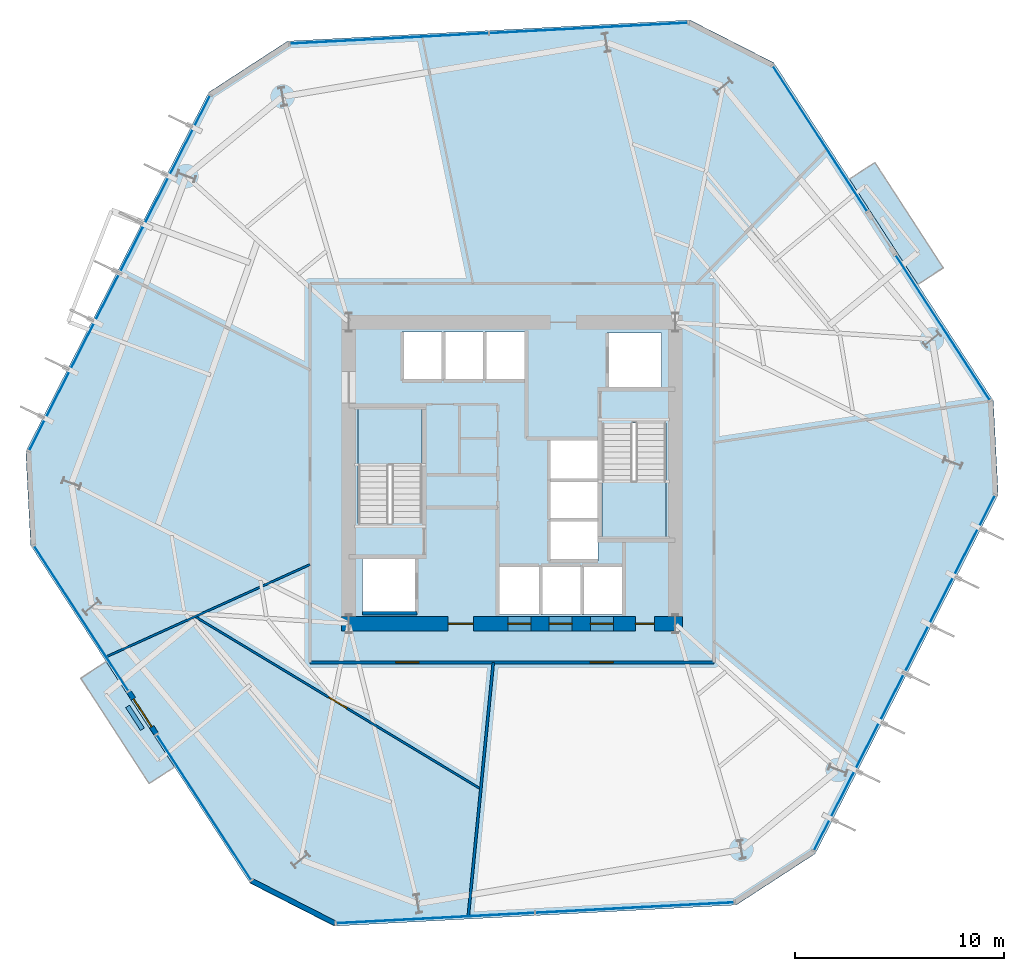
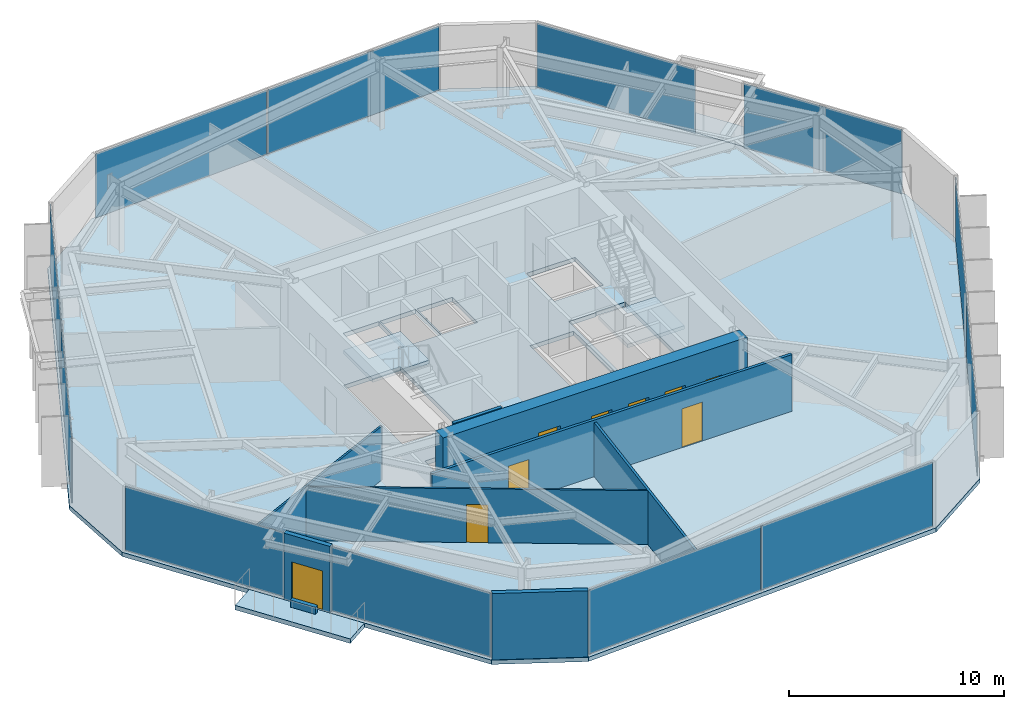
# One storey, part 5 of 10: 12 plates, 9 doors, 9 walls, 5 slabs, 9 openings, 10 elements without a shape of their own.
"""IFC4 building model written with IfcOpenShell, lengths in metres."""

from ifc_helpers import new_model, si_unit, direction, frame, frame_2d, origin, origin_2d, place, context, subcontext, project, spatial, polyline, rectangle, outline, extrude, material, layer, layer_set, type_object, element, fill, aggregate, save


model = new_model("IFC4")

# Units and contexts
model_context = context("Model", 3, precision=1e-05, world=origin(), true_north=direction((0.0, 1.0)))
body_context = subcontext(model_context, "Body", "Model", "MODEL_VIEW")
ifc_project = project(units=[si_unit("LENGTHUNIT", "METRE"), si_unit("AREAUNIT", "SQUARE_METRE"), si_unit("VOLUMEUNIT", "CUBIC_METRE"), si_unit("PLANEANGLEUNIT", "RADIAN"), si_unit("MASSUNIT", "GRAM", prefix="KILO")], contexts=[model_context])

# Site, building, storey
site_placement = place(None, origin())
site = spatial("IfcSite", under=ifc_project, at=site_placement, CompositionType="ELEMENT")
building_placement = place(site_placement, origin())
building = spatial("IfcBuilding", under=site, at=building_placement, Name="Kranzbogen Civic Tower", CompositionType="ELEMENT")
storey_placement = place(building_placement, frame((0.0, 0.0, 32.0)))
storey = spatial("IfcBuildingStorey", under=building, at=storey_placement, Name="L07", CompositionType="ELEMENT", Elevation=32.0)

# Slab
ifc_material_1 = material(Name="Concrete C40/50", Category="concrete")
ifc_layer_1 = layer(ifc_material_1, 0.239990234375, Name="Concrete C40/50")
ifc_layer_set_1 = layer_set([ifc_layer_1], Name="Concrete C40/50")
slab_type_1 = type_object("IfcSlabType", Name="Composite Lower Tower Floor Slab 240 mm", PredefinedType="FLOOR", material=ifc_layer_set_1)
slab_1_placement = place(storey_placement, frame((0.0, 0.0, -0.239990234375)))
element("IfcSlab", 1, at=slab_1_placement, inside=storey, type_object=slab_type_1, Name="L07 tower floor slab", PredefinedType="FLOOR", context=body_context, shape_type="SweptSolid", body=[
    extrude(outline(polyline([(48.001953125, 28.458984375), (37.514892578125, 44.60693359375), (33.506103515625, 46.64990234375), (14.278076171875, 45.64208984375), (10.50390625, 43.19091796875), (1.761962890625, 26.034912109375), (1.998046875, 21.541015625), (12.485107421875, 5.39306640625), (16.493896484375, 3.35009765625), (35.721923828125, 4.35791015625), (39.49609375, 6.80908203125), (48.238037109375, 23.965087890625), (48.001953125, 28.458984375)]), holes=[polyline([(26.300048828125, 20.60009765625), (26.300048828125, 18.25), (24.39990234375, 18.25), (24.39990234375, 20.60009765625), (26.300048828125, 20.60009765625)]), polyline([(28.27490234375, 18.25), (26.375, 18.25), (26.375, 20.60009765625), (28.27490234375, 20.60009765625), (28.27490234375, 18.25)]), polyline([(20.449951171875, 18.300048828125), (17.85009765625, 18.300048828125), (17.85009765625, 20.89990234375), (20.449951171875, 20.89990234375), (20.449951171875, 18.300048828125)]), polyline([(20.699951171875, 22.659912109375), (19.25, 22.659912109375), (19.25, 22.60009765625), (17.64990234375, 22.60009765625), (17.64990234375, 28.10009765625), (20.699951171875, 28.10009765625), (20.699951171875, 22.659912109375)]), polyline([(21.64990234375, 29.39990234375), (19.75, 29.39990234375), (19.75, 31.75), (21.64990234375, 31.75), (21.64990234375, 29.39990234375)]), polyline([(23.625, 29.39990234375), (21.72509765625, 29.39990234375), (21.72509765625, 31.75), (23.625, 31.75), (23.625, 29.39990234375)]), polyline([(25.60009765625, 31.75), (25.60009765625, 29.39990234375), (23.699951171875, 29.39990234375), (23.699951171875, 31.75), (25.60009765625, 31.75)]), polyline([(30.25, 18.25), (28.35009765625, 18.25), (28.35009765625, 20.60009765625), (30.25, 20.60009765625), (30.25, 18.25)]), polyline([(29.10009765625, 20.800048828125), (26.75, 20.800048828125), (26.75, 22.699951171875), (29.10009765625, 22.699951171875), (29.10009765625, 20.800048828125)]), polyline([(26.75, 26.550048828125), (29.10009765625, 26.550048828125), (29.10009765625, 24.675048828125), (29.10009765625, 24.64990234375), (29.10009765625, 22.77490234375), (26.75, 22.77490234375), (26.75, 24.64990234375), (26.75, 24.675048828125), (26.75, 26.550048828125)]), polyline([(30.75, 27.340087890625), (30.75, 27.39990234375), (32.35009765625, 27.39990234375), (32.35009765625, 21.89990234375), (29.300048828125, 21.89990234375), (29.300048828125, 27.340087890625), (30.75, 27.340087890625)]), polyline([(32.14990234375, 29.10009765625), (29.550048828125, 29.10009765625), (29.550048828125, 31.699951171875), (32.14990234375, 31.699951171875), (32.14990234375, 29.10009765625)])]), origin(), (0.0, 0.0, 1.0), 0.239990234375),
])

# Curtain wall, plate
ifc_material_2 = material(Name="Pale Anodised Aluminium", Category="aluminium")
ifc_layer_2 = layer(ifc_material_2, 0.219970703125, Name="Pale Anodised Aluminium")
ifc_layer_set_2 = layer_set([ifc_layer_2], Name="Pale Anodised Aluminium")
curtain_wall_type = type_object("IfcCurtainWallType", Name="Zone 1 Stick Curtain Wall System CW-02", PredefinedType="USERDEFINED", material=ifc_layer_set_2)
curtain_wall_1_placement = place(storey_placement, origin())
curtain_wall_1 = element("IfcCurtainWall", 2, at=curtain_wall_1_placement, inside=storey, type_object=curtain_wall_type, Name="L07 curtain wall CW-L07-F1-S1", ObjectType="STICK CURTAIN WALL", PredefinedType="USERDEFINED")
ifc_material_3 = material(Name="Low-E Triple Glazing Glass", Category="glass")
ifc_layer_3 = layer(ifc_material_3, 0.033935546875, Name="Low-E Triple Glazing Glass")
ifc_layer_set_3 = layer_set([ifc_layer_3], Name="Low-E Triple Glazing Glass")
plate_type = type_object("IfcPlateType", Name="Insulated Low-E Glazing Panel 34 mm", PredefinedType="CURTAIN_PANEL", material=ifc_layer_set_3)
plate_1_placement = place(storey_placement, frame((45.5849609375, 31.947509765625, 0.06005859375), z_axis=(0.0, 0.0, 1.0), x_axis=(-0.544622907233, 0.838681041229, 0.0)))
plate_1 = element("IfcPlate", 3, at=plate_1_placement, type_object=plate_type, Name="CW-02 panel 1.1", PredefinedType="CURTAIN_PANEL", context=body_context, shape_type="SweptSolid", body=[
    extrude(rectangle(XDim=8.2490234375, YDim=0.028076171875, at=origin_2d()), origin(), (0.0, 0.0, 1.0), 3.639892578125),
])
aggregate(curtain_wall_1, [plate_1])

curtain_wall_2_placement = place(storey_placement, origin())
curtain_wall_2 = element("IfcCurtainWall", 4, at=curtain_wall_2_placement, inside=storey, type_object=curtain_wall_type, Name="L07 curtain wall CW-L07-F1-S2", ObjectType="STICK CURTAIN WALL", PredefinedType="USERDEFINED")
plate_2_placement = place(storey_placement, frame((39.718994140625, 40.9794921875, 0.06005859375), z_axis=(0.0, 0.0, 1.0), x_axis=(-0.544622907233, 0.838681041229, 0.0)))
plate_2 = element("IfcPlate", 5, at=plate_2_placement, type_object=plate_type, Name="CW-02 panel 1.1", PredefinedType="CURTAIN_PANEL", context=body_context, shape_type="SweptSolid", body=[
    extrude(rectangle(XDim=8.2490234375, YDim=0.028076171875, at=origin_2d()), origin(), (0.0, 0.0, 1.0), 3.639892578125),
])
aggregate(curtain_wall_2, [plate_2])

# Curtain wall, plates
curtain_wall_3_placement = place(storey_placement, origin())
curtain_wall_3 = element("IfcCurtainWall", 6, at=curtain_wall_3_placement, inside=storey, type_object=curtain_wall_type, Name="L07 curtain wall CW-L07-F2", ObjectType="STICK CURTAIN WALL", PredefinedType="USERDEFINED")
plate_3_placement = place(storey_placement, frame((28.662109375, 46.268798828125, 0.06005859375), z_axis=(0.0, 0.0, 1.0), x_axis=(-0.998628489933, -0.052355888813, 0.0)))
plate_3 = element("IfcPlate", 7, at=plate_3_placement, type_object=plate_type, Name="CW-02 panel 1.1", PredefinedType="CURTAIN_PANEL", context=body_context, shape_type="SweptSolid", body=[
    extrude(rectangle(XDim=9.47900390625, YDim=0.028076171875, at=origin_2d()), origin(), (0.0, 0.0, 1.0), 3.639892578125),
])
plate_4_placement = place(storey_placement, frame((19.135986328125, 45.769287109375, 0.06005859375), z_axis=(0.0, 0.0, 1.0), x_axis=(-0.998628489933, -0.052355888813, 0.0)))
plate_4 = element("IfcPlate", 8, at=plate_4_placement, type_object=plate_type, Name="CW-02 panel 2.1", PredefinedType="CURTAIN_PANEL", context=body_context, shape_type="SweptSolid", body=[
    extrude(rectangle(XDim=9.47900390625, YDim=0.028076171875, at=origin_2d()), origin(), (0.0, 0.0, 1.0), 3.639892578125),
])
aggregate(curtain_wall_3, [plate_3, plate_4])

curtain_wall_4_placement = place(storey_placement, origin())
curtain_wall_4 = element("IfcCurtainWall", 9, at=curtain_wall_4_placement, inside=storey, type_object=curtain_wall_type, Name="L07 curtain wall CW-L07-F3", ObjectType="STICK CURTAIN WALL", PredefinedType="USERDEFINED")
plate_5_placement = place(storey_placement, frame((8.411865234375, 38.805419921875, 0.06005859375), z_axis=(0.0, 0.0, 1.0), x_axis=(-0.453993092664, -0.891005203022, 0.0)))
plate_5 = element("IfcPlate", 10, at=plate_5_placement, type_object=plate_type, Name="CW-02 panel 1.1", PredefinedType="CURTAIN_PANEL", context=body_context, shape_type="SweptSolid", body=[
    extrude(rectangle(XDim=9.4794921875, YDim=0.028076171875, at=origin_2d()), origin(), (0.0, 0.0, 1.0), 3.639892578125),
])
plate_6_placement = place(storey_placement, frame((4.0810546875, 30.3056640625, 0.06005859375), z_axis=(0.0, 0.0, 1.0), x_axis=(-0.453993092664, -0.891005203022, 0.0)))
plate_6 = element("IfcPlate", 11, at=plate_6_placement, type_object=plate_type, Name="CW-02 panel 2.1", PredefinedType="CURTAIN_PANEL", context=body_context, shape_type="SweptSolid", body=[
    extrude(rectangle(XDim=9.4794921875, YDim=0.028076171875, at=origin_2d()), origin(), (0.0, 0.0, 1.0), 3.639892578125),
])
aggregate(curtain_wall_4, [plate_5, plate_6])

# Curtain wall, plate
curtain_wall_5_placement = place(storey_placement, origin())
curtain_wall_5 = element("IfcCurtainWall", 12, at=curtain_wall_5_placement, inside=storey, type_object=curtain_wall_type, Name="L07 curtain wall CW-L07-F4-S1", ObjectType="STICK CURTAIN WALL", PredefinedType="USERDEFINED")
plate_7_placement = place(storey_placement, frame((4.4150390625, 18.052490234375, 0.06005859375), z_axis=(0.0, 0.0, 1.0), x_axis=(0.544622907233, -0.838681041229, 0.0)))
plate_7 = element("IfcPlate", 13, at=plate_7_placement, type_object=plate_type, Name="CW-02 panel 1.1", PredefinedType="CURTAIN_PANEL", context=body_context, shape_type="SweptSolid", body=[
    extrude(rectangle(XDim=8.2490234375, YDim=0.028076171875, at=origin_2d()), origin(), (0.0, 0.0, 1.0), 3.639892578125),
])
aggregate(curtain_wall_5, [plate_7])

curtain_wall_6_placement = place(storey_placement, origin())
curtain_wall_6 = element("IfcCurtainWall", 14, at=curtain_wall_6_placement, inside=storey, type_object=curtain_wall_type, Name="L07 curtain wall CW-L07-F4-S2", ObjectType="STICK CURTAIN WALL", PredefinedType="USERDEFINED")
plate_8_placement = place(storey_placement, frame((10.281005859375, 9.0205078125, 0.06005859375), z_axis=(0.0, 0.0, 1.0), x_axis=(0.544622907233, -0.838681041229, 0.0)))
plate_8 = element("IfcPlate", 15, at=plate_8_placement, type_object=plate_type, Name="CW-02 panel 1.1", PredefinedType="CURTAIN_PANEL", context=body_context, shape_type="SweptSolid", body=[
    extrude(rectangle(XDim=8.2490234375, YDim=0.028076171875, at=origin_2d()), origin(), (0.0, 0.0, 1.0), 3.639892578125),
])
aggregate(curtain_wall_6, [plate_8])

# Curtain wall, plates
curtain_wall_7_placement = place(storey_placement, origin())
curtain_wall_7 = element("IfcCurtainWall", 16, at=curtain_wall_7_placement, inside=storey, type_object=curtain_wall_type, Name="L07 curtain wall CW-L07-F5", ObjectType="STICK CURTAIN WALL", PredefinedType="USERDEFINED")
plate_9_placement = place(storey_placement, frame((21.337890625, 3.731201171875, 0.06005859375), z_axis=(0.0, 0.0, 1.0), x_axis=(0.998628489933, 0.052355888813, 0.0)))
plate_9 = element("IfcPlate", 17, at=plate_9_placement, type_object=plate_type, Name="CW-02 panel 1.1", PredefinedType="CURTAIN_PANEL", context=body_context, shape_type="SweptSolid", body=[
    extrude(rectangle(XDim=9.47900390625, YDim=0.028076171875, at=origin_2d()), origin(), (0.0, 0.0, 1.0), 3.639892578125),
])
plate_10_placement = place(storey_placement, frame((30.864013671875, 4.230712890625, 0.06005859375), z_axis=(0.0, 0.0, 1.0), x_axis=(0.998628489933, 0.052355888813, 0.0)))
plate_10 = element("IfcPlate", 18, at=plate_10_placement, type_object=plate_type, Name="CW-02 panel 2.1", PredefinedType="CURTAIN_PANEL", context=body_context, shape_type="SweptSolid", body=[
    extrude(rectangle(XDim=9.47900390625, YDim=0.028076171875, at=origin_2d()), origin(), (0.0, 0.0, 1.0), 3.639892578125),
])
aggregate(curtain_wall_7, [plate_9, plate_10])

curtain_wall_8_placement = place(storey_placement, origin())
curtain_wall_8 = element("IfcCurtainWall", 19, at=curtain_wall_8_placement, inside=storey, type_object=curtain_wall_type, Name="L07 curtain wall CW-L07-F6", ObjectType="STICK CURTAIN WALL", PredefinedType="USERDEFINED")
plate_11_placement = place(storey_placement, frame((41.588134765625, 11.194580078125, 0.06005859375), z_axis=(0.0, 0.0, 1.0), x_axis=(0.453993092664, 0.891005203022, 0.0)))
plate_11 = element("IfcPlate", 20, at=plate_11_placement, type_object=plate_type, Name="CW-02 panel 1.1", PredefinedType="CURTAIN_PANEL", context=body_context, shape_type="SweptSolid", body=[
    extrude(rectangle(XDim=9.4794921875, YDim=0.028076171875, at=origin_2d()), origin(), (0.0, 0.0, 1.0), 3.639892578125),
])
plate_12_placement = place(storey_placement, frame((45.9189453125, 19.6943359375, 0.06005859375), z_axis=(0.0, 0.0, 1.0), x_axis=(0.453993092664, 0.891005203022, 0.0)))
plate_12 = element("IfcPlate", 21, at=plate_12_placement, type_object=plate_type, Name="CW-02 panel 2.1", PredefinedType="CURTAIN_PANEL", context=body_context, shape_type="SweptSolid", body=[
    extrude(rectangle(XDim=9.4794921875, YDim=0.028076171875, at=origin_2d()), origin(), (0.0, 0.0, 1.0), 3.639892578125),
])
aggregate(curtain_wall_8, [plate_11, plate_12])

# Stair, slab
ifc_material_4 = material(Name="Precast concrete C40/50", Category="concrete")
stair_type_1 = type_object("IfcStairType", Name="Tower Core Pressurized Dogleg Stair 1450", PredefinedType="HALF_TURN_STAIR", material=ifc_material_4)
stair_1_placement = place(storey_placement, origin())
stair_1 = element("IfcStair", 22, at=stair_1_placement, inside=storey, type_object=stair_type_1, Name="L07 Tower Core Pressurized Stair 1", PredefinedType="HALF_TURN_STAIR")
ifc_layer_4 = layer(ifc_material_4, 0.199951171875, Name="Precast concrete C40/50")
ifc_layer_set_4 = layer_set([ifc_layer_4], Name="Precast concrete C40/50")
slab_type_2 = type_object("IfcSlabType", Name="Precast Concrete Stair Landing Slab 200 mm", PredefinedType="LANDING", material=ifc_layer_set_4)
slab_2_placement = place(storey_placement, frame((0.0, 0.0, 1.800048828125)))
slab_2 = element("IfcSlab", 23, at=slab_2_placement, type_object=slab_type_2, Name="ST-T1 landing 1", PredefinedType="LANDING", context=body_context, shape_type="SweptSolid", body=[
    extrude(outline(polyline([(20.699951171875, 25.39990234375), (20.699951171875, 28.10009765625), (17.64990234375, 28.10009765625), (17.64990234375, 25.39990234375), (20.699951171875, 25.39990234375)])), origin(), (0.0, 0.0, 1.0), 0.199951171875),
])
aggregate(stair_1, [slab_2])

stair_type_2 = type_object("IfcStairType", Name="Tower Core Secondary Dogleg Stair 1450", PredefinedType="HALF_TURN_STAIR", material=ifc_material_4)
stair_2_placement = place(storey_placement, origin())
stair_2 = element("IfcStair", 24, at=stair_2_placement, inside=storey, type_object=stair_type_2, Name="L07 Tower Core Pressurized Stair 2", PredefinedType="HALF_TURN_STAIR")
slab_3_placement = place(storey_placement, frame((0.0, 0.0, 1.800048828125)))
slab_3 = element("IfcSlab", 25, at=slab_3_placement, type_object=slab_type_2, Name="ST-T2 landing 1", PredefinedType="LANDING", context=body_context, shape_type="SweptSolid", body=[
    extrude(outline(polyline([(29.300048828125, 24.60009765625), (29.300048828125, 21.89990234375), (32.35009765625, 21.89990234375), (32.35009765625, 24.60009765625), (29.300048828125, 24.60009765625)])), origin(), (0.0, 0.0, 1.0), 0.199951171875),
])
aggregate(stair_2, [slab_3])

# Slabs
ifc_layer_5 = layer(ifc_material_1, 0.25, Name="Concrete C40/50")
ifc_layer_set_5 = layer_set([ifc_layer_5], Name="Concrete C40/50")
slab_type_3 = type_object("IfcSlabType", Name="Tree Balcony Cantilevered Slab 250 mm", PredefinedType="FLOOR", material=ifc_layer_set_5)
slab_4_placement = place(storey_placement, frame((0.0, 0.0, -0.25)))
element("IfcSlab", 26, at=slab_4_placement, inside=storey, type_object=slab_type_3, Name="L07 cantilevered tree balcony L07-TB1", PredefinedType="FLOOR", context=body_context, shape_type="SweptSolid", body=[
    extrude(outline(polyline([(5.60693359375, 15.98291015625), (8.875, 10.950927734375), (7.658935546875, 10.160888671875), (4.39111328125, 15.193115234375), (5.60693359375, 15.98291015625)])), origin(), (0.0, 0.0, 1.0), 0.25),
])
slab_5_placement = place(storey_placement, frame((0.0, 0.0, -0.25)))
element("IfcSlab", 27, at=slab_5_placement, inside=storey, type_object=slab_type_3, Name="L07 cantilevered tree balcony L07-TB2", PredefinedType="FLOOR", context=body_context, shape_type="SweptSolid", body=[
    extrude(outline(polyline([(44.39306640625, 34.01708984375), (41.125, 39.049072265625), (42.341064453125, 39.839111328125), (45.60888671875, 34.806884765625), (44.39306640625, 34.01708984375)])), origin(), (0.0, 0.0, 1.0), 0.25),
])

# Wall, openings, doors
ifc_material_5 = material(Name="Double-Stud Acoustic Gypsum Partition")
ifc_layer_6 = layer(ifc_material_5, 0.14990234375, Name="Double-Stud Acoustic Gypsum Partition")
ifc_layer_set_6 = layer_set([ifc_layer_6], Name="Double-Stud Acoustic Gypsum Partition")
wall_type_1 = type_object("IfcWallType", Name="Acoustic Corridor and Clinical Partition 150 mm", PredefinedType="PARTITIONING", material=ifc_layer_set_6)
wall_1_placement = place(storey_placement, frame((34.64990234375, 15.949951171875, 0.0), z_axis=(0.0, 0.0, 1.0), x_axis=(-1.0, 0.0, 0.0)))
wall_1 = element("IfcWall", 28, at=wall_1_placement, inside=storey, type_object=wall_type_1, Name="L07 corridor partition 03", PredefinedType="PARTITIONING", context=body_context, shape_type="SweptSolid", body=[
    extrude(rectangle(XDim=19.2998046875, YDim=0.14990234375, at=frame_2d((9.64990234375, 0.0))), origin(), (0.0, 0.0, 1.0), 3.2099609375),
])
opening_1_placement = place(wall_1_placement, frame((14.10205078125, 0.0, 0.0)))
opening_1 = element("IfcOpeningElement", 29, at=opening_1_placement, cuts=wall_1, Name="Opening D-COR60", PredefinedType="OPENING", context=body_context, shape_type="SweptSolid", body=[
    extrude(rectangle(XDim=1.10009765625, YDim=2.199951171875, at=frame_2d((0.550048828125, 1.10009765625))), frame((0.0, 0.0849609375, 0.0), z_axis=(0.0, -1.0, 0.0), x_axis=(1.0, 0.0, 0.0)), (0.0, 0.0, 1.0), 0.169921875),
])
opening_2_placement = place(wall_1_placement, frame((4.818115234375, 0.0, 0.0)))
opening_2 = element("IfcOpeningElement", 30, at=opening_2_placement, cuts=wall_1, Name="Opening D-COR60", PredefinedType="OPENING", context=body_context, shape_type="SweptSolid", body=[
    extrude(rectangle(XDim=1.10009765625, YDim=2.199951171875, at=frame_2d((0.550048828125, 1.10009765625))), frame((0.0, 0.0849609375, 0.0), z_axis=(0.0, -1.0, 0.0), x_axis=(1.0, 0.0, 0.0)), (0.0, 0.0, 1.0), 0.169921875),
])
ifc_material_6 = material(Name="Oak Timber and Fire Core", Category="wood")
door_type_1 = type_object("IfcDoorType", Name="Corridor Acoustic Fire Door 1100x2200", OperationType="NOTDEFINED", PredefinedType="DOOR", material=ifc_material_6)
door_1_placement = place(opening_1_placement, origin())
door_1 = element("IfcDoor", 31, at=door_1_placement, inside=storey, type_object=door_type_1, Name="L07 Directorate Admin Workspace door", OperationType="SINGLE_SWING_LEFT", OverallHeight=2.199951171875, OverallWidth=1.10009765625, PredefinedType="DOOR", context=body_context, shape_type="SweptSolid", body=[
    extrude(rectangle(XDim=1.10009765625, YDim=2.199951171875, at=frame_2d((0.550048828125, 1.10009765625))), frame((0.0, 0.02490234375, 0.0), z_axis=(0.0, -1.0, 0.0), x_axis=(1.0, 0.0, 0.0)), (0.0, 0.0, 1.0), 0.050048828125),
])
fill(opening_1, door_1)
door_2_placement = place(opening_2_placement, origin())
door_2 = element("IfcDoor", 32, at=door_2_placement, inside=storey, type_object=door_type_1, Name="L07 Civic Reference Library door", OperationType="SINGLE_SWING_LEFT", OverallHeight=2.199951171875, OverallWidth=1.10009765625, PredefinedType="DOOR", context=body_context, shape_type="SweptSolid", body=[
    extrude(rectangle(XDim=1.10009765625, YDim=2.199951171875, at=frame_2d((0.550048828125, 1.10009765625))), frame((0.0, 0.02490234375, 0.0), z_axis=(0.0, -1.0, 0.0), x_axis=(1.0, 0.0, 0.0)), (0.0, 0.0, 1.0), 0.050048828125),
])
fill(opening_2, door_2)

# Walls
ifc_material_7 = material(Name="Insulated Metal-Stud Gypsum Partition")
ifc_layer_7 = layer(ifc_material_7, 0.125, Name="Insulated Metal-Stud Gypsum Partition")
ifc_layer_set_7 = layer_set([ifc_layer_7], Name="Insulated Metal-Stud Gypsum Partition")
wall_type_2 = type_object("IfcWallType", Name="Acoustic Inter-Room Partition 125 mm", PredefinedType="PARTITIONING", material=ifc_layer_set_7)
wall_2_placement = place(storey_placement, frame((24.10693359375, 15.949951171875, 0.0), z_axis=(0.0, 0.0, 1.0), x_axis=(-0.098223238164, -0.995164406259, 0.0)))
element("IfcWall", 33, at=wall_2_placement, inside=storey, type_object=wall_type_2, Name="L07 radial room partition 05", PredefinedType="PARTITIONING", context=body_context, shape_type="SweptSolid", body=[
    extrude(rectangle(XDim=12.1767578125, YDim=0.125, at=frame_2d((6.08837890625, 0.0))), origin(), (0.0, 0.0, 1.0), 3.06005859375),
])
ifc_material_8 = material(Name="Architectural Precast Terracotta Concrete C40/50", Category="masonry")
ifc_layer_8 = layer(ifc_material_8, 0.219970703125, Name="Architectural Precast Terracotta Concrete C40/50")
ifc_layer_set_8 = layer_set([ifc_layer_8], Name="Architectural Precast Terracotta Concrete C40/50")
wall_type_3 = type_object("IfcWallType", Name="Architectural Tree Planter Kerb Wall 220 mm", PredefinedType="USERDEFINED", material=ifc_layer_set_8)
wall_3_placement = place(storey_placement, frame((6.632080078125, 13.845947265625, 0.0), z_axis=(0.0, 0.0, 1.0), x_axis=(0.544777038638, -0.8385809312, 0.0)))
element("IfcWall", 34, at=wall_3_placement, inside=storey, type_object=wall_type_3, Name="L07 landscaped tree balcony planter L07-TB1", ObjectType="PLANTER_WALL", PredefinedType="USERDEFINED", context=body_context, shape_type="SweptSolid", body=[
    extrude(rectangle(XDim=1.299560546875, YDim=0.219970703125, at=frame_2d((0.64990234375, 0.0))), origin(), (0.0, 0.0, 1.0), 0.39990234375),
])

# Wall, openings, doors
ifc_material_9 = material(Name="Concrete C55/67", Category="concrete")
ifc_layer_9 = layer(ifc_material_9, 0.699951171875, Name="Concrete C55/67")
ifc_layer_set_9 = layer_set([ifc_layer_9], Name="Concrete C55/67")
wall_type_4 = type_object("IfcWallType", Name="Central Core Shear Wall 700 mm", PredefinedType="SHEAR", material=ifc_layer_set_9)
wall_4_placement = place(storey_placement, frame((16.85009765625, 17.800048828125, 0.0), z_axis=(0.0, 0.0, 1.0), x_axis=(1.0, 0.0, 0.0)))
wall_4 = element("IfcWall", 35, at=wall_4_placement, inside=storey, type_object=wall_type_4, Name="L07 central core South shear wall", PredefinedType="SHEAR", context=body_context, shape_type="SweptSolid", body=[
    extrude(rectangle(XDim=16.2998046875, YDim=0.699951171875, at=frame_2d((8.14990234375, 0.0))), origin(), (0.0, 0.0, 1.0), 3.760009765625),
])
opening_3_placement = place(wall_4_placement, frame((5.10009765625, 0.0, 0.0)))
opening_3 = element("IfcOpeningElement", 36, at=opening_3_placement, cuts=wall_4, Name="Opening D-EX120", PredefinedType="OPENING", context=body_context, shape_type="SweptSolid", body=[
    extrude(rectangle(XDim=1.199951171875, YDim=2.25, at=frame_2d((0.60009765625, 1.125))), frame((0.0, 0.35986328125, 0.0), z_axis=(0.0, -1.0, 0.0), x_axis=(1.0, 0.0, 0.0)), (0.0, 0.0, 1.0), 0.719970703125),
])
opening_4_placement = place(wall_4_placement, frame((14.050048828125, 0.0, 0.0)))
opening_4 = element("IfcOpeningElement", 37, at=opening_4_placement, cuts=wall_4, Name="Opening D-WC90", PredefinedType="OPENING", context=body_context, shape_type="SweptSolid", body=[
    extrude(rectangle(XDim=0.89990234375, YDim=2.10009765625, at=frame_2d((0.449951171875, 1.050048828125))), frame((0.0, 0.35986328125, 0.0), z_axis=(0.0, -1.0, 0.0), x_axis=(1.0, 0.0, 0.0)), (0.0, 0.0, 1.0), 0.719970703125),
])
opening_5_placement = place(wall_4_placement, frame((7.949951171875, 0.0, 0.0)))
opening_5 = element("IfcOpeningElement", 38, at=opening_5_placement, cuts=wall_4, Name="Opening LD-LP-01", PredefinedType="OPENING", context=body_context, shape_type="SweptSolid", body=[
    extrude(rectangle(XDim=1.10009765625, YDim=2.199951171875, at=frame_2d((0.550048828125, 1.10009765625))), frame((0.0, 0.35986328125, 0.0), z_axis=(0.0, -1.0, 0.0), x_axis=(1.0, 0.0, 0.0)), (0.0, 0.0, 1.0), 0.719970703125),
])
opening_6_placement = place(wall_4_placement, frame((9.925048828125, 0.0, 0.0)))
opening_6 = element("IfcOpeningElement", 39, at=opening_6_placement, cuts=wall_4, Name="Opening LD-LP-02", PredefinedType="OPENING", context=body_context, shape_type="SweptSolid", body=[
    extrude(rectangle(XDim=1.10009765625, YDim=2.199951171875, at=frame_2d((0.550048828125, 1.10009765625))), frame((0.0, 0.35986328125, 0.0), z_axis=(0.0, -1.0, 0.0), x_axis=(1.0, 0.0, 0.0)), (0.0, 0.0, 1.0), 0.719970703125),
])
opening_7_placement = place(wall_4_placement, frame((11.89990234375, 0.0, 0.0)))
opening_7 = element("IfcOpeningElement", 40, at=opening_7_placement, cuts=wall_4, Name="Opening LD-LP-03", PredefinedType="OPENING", context=body_context, shape_type="SweptSolid", body=[
    extrude(rectangle(XDim=1.10009765625, YDim=2.199951171875, at=frame_2d((0.550048828125, 1.10009765625))), frame((0.0, 0.35986328125, 0.0), z_axis=(0.0, -1.0, 0.0), x_axis=(1.0, 0.0, 0.0)), (0.0, 0.0, 1.0), 0.719970703125),
])
ifc_material_10 = material(Name="Steel S355", Category="steel")
door_type_2 = type_object("IfcDoorType", Name="Exit Passageway Fire Door 1200x2250", OperationType="NOTDEFINED", PredefinedType="DOOR", material=ifc_material_10)
door_3_placement = place(opening_3_placement, origin())
door_3 = element("IfcDoor", 41, at=door_3_placement, inside=storey, type_object=door_type_2, Name="L07 West firefighting lobby corridor door", OperationType="SINGLE_SWING_LEFT", OverallHeight=2.25, OverallWidth=1.199951171875, PredefinedType="DOOR", context=body_context, shape_type="SweptSolid", body=[
    extrude(rectangle(XDim=1.199951171875, YDim=2.25, at=frame_2d((0.60009765625, 1.125))), frame((0.0, 0.02490234375, 0.0), z_axis=(0.0, -1.0, 0.0), x_axis=(1.0, 0.0, 0.0)), (0.0, 0.0, 1.0), 0.050048828125),
])
fill(opening_3, door_3)
door_type_3 = type_object("IfcDoorType", Name="Passenger Lift Sliding Landing Door 1100x2200", OperationType="DOUBLE_DOOR_SLIDING", PredefinedType="DOOR", material=ifc_material_2)
door_4_placement = place(opening_5_placement, origin())
door_4 = element("IfcDoor", 42, at=door_4_placement, inside=storey, type_object=door_type_3, Name="L07 lift LP-01 sliding landing door", OperationType="DOUBLE_DOOR_SLIDING", OverallHeight=2.199951171875, OverallWidth=1.10009765625, PredefinedType="DOOR", context=body_context, shape_type="SweptSolid", body=[
    extrude(rectangle(XDim=1.10009765625, YDim=2.199951171875, at=frame_2d((0.550048828125, 1.10009765625))), frame((0.0, 0.02490234375, 0.0), z_axis=(0.0, -1.0, 0.0), x_axis=(1.0, 0.0, 0.0)), (0.0, 0.0, 1.0), 0.050048828125),
])
fill(opening_5, door_4)
door_5_placement = place(opening_6_placement, origin())
door_5 = element("IfcDoor", 43, at=door_5_placement, inside=storey, type_object=door_type_3, Name="L07 lift LP-02 sliding landing door", OperationType="DOUBLE_DOOR_SLIDING", OverallHeight=2.199951171875, OverallWidth=1.10009765625, PredefinedType="DOOR", context=body_context, shape_type="SweptSolid", body=[
    extrude(rectangle(XDim=1.10009765625, YDim=2.199951171875, at=frame_2d((0.550048828125, 1.10009765625))), frame((0.0, 0.02490234375, 0.0), z_axis=(0.0, -1.0, 0.0), x_axis=(1.0, 0.0, 0.0)), (0.0, 0.0, 1.0), 0.050048828125),
])
fill(opening_6, door_5)
door_6_placement = place(opening_7_placement, origin())
door_6 = element("IfcDoor", 44, at=door_6_placement, inside=storey, type_object=door_type_3, Name="L07 lift LP-03 sliding landing door", OperationType="DOUBLE_DOOR_SLIDING", OverallHeight=2.199951171875, OverallWidth=1.10009765625, PredefinedType="DOOR", context=body_context, shape_type="SweptSolid", body=[
    extrude(rectangle(XDim=1.10009765625, YDim=2.199951171875, at=frame_2d((0.550048828125, 1.10009765625))), frame((0.0, 0.02490234375, 0.0), z_axis=(0.0, -1.0, 0.0), x_axis=(1.0, 0.0, 0.0)), (0.0, 0.0, 1.0), 0.050048828125),
])
fill(opening_7, door_6)
ifc_material_11 = material(Name="Moisture-Resistant Laminate")
door_type_4 = type_object("IfcDoorType", Name="Standard Restroom and Store Door 900x2100", OperationType="NOTDEFINED", PredefinedType="DOOR", material=ifc_material_11)
door_7_placement = place(opening_4_placement, origin())
door_7 = element("IfcDoor", 45, at=door_7_placement, inside=storey, type_object=door_type_4, Name="L07 East electrical riser access door", OperationType="SINGLE_SWING_LEFT", OverallHeight=2.10009765625, OverallWidth=0.89990234375, PredefinedType="DOOR", context=body_context, shape_type="SweptSolid", body=[
    extrude(rectangle(XDim=0.89990234375, YDim=2.10009765625, at=frame_2d((0.449951171875, 1.050048828125))), frame((0.0, 0.02490234375, 0.0), z_axis=(0.0, -1.0, 0.0), x_axis=(1.0, 0.0, 0.0)), (0.0, 0.0, 1.0), 0.050048828125),
])
fill(opening_4, door_7)

# Wall
ifc_material_12 = material(Name="Demountable Aluminium and Gypsum Partition", Category="aluminium")
ifc_layer_10 = layer(ifc_material_12, 0.10009765625, Name="Demountable Aluminium and Gypsum Partition")
ifc_layer_set_10 = layer_set([ifc_layer_10], Name="Demountable Aluminium and Gypsum Partition")
wall_type_5 = type_object("IfcWallType", Name="Demountable Office Partition 100 mm", PredefinedType="MOVABLE", material=ifc_layer_set_10)
wall_5_placement = place(storey_placement, frame((15.35009765625, 20.62890625, 0.0), z_axis=(0.0, 0.0, 1.0), x_axis=(-0.910935697365, -0.412548367184, 0.0)))
element("IfcWall", 46, at=wall_5_placement, inside=storey, type_object=wall_type_5, Name="L07 radial room partition 04", PredefinedType="MOVABLE", context=body_context, shape_type="SweptSolid", body=[
    extrude(rectangle(XDim=10.677001953125, YDim=0.10009765625, at=frame_2d((5.33837890625, 0.0))), origin(), (0.0, 0.0, 1.0), 3.050048828125),
])

# Wall, opening, door
wall_6_placement = place(storey_placement, frame((9.866943359375, 18.1298828125, 0.0), z_axis=(0.0, 0.0, 1.0), x_axis=(0.856231759505, -0.516591883419, 0.0)))
wall_6 = element("IfcWall", 47, at=wall_6_placement, inside=storey, type_object=wall_type_5, Name="L07 suite chord partition 01", PredefinedType="MOVABLE", context=body_context, shape_type="SweptSolid", body=[
    extrude(rectangle(XDim=15.91748046875, YDim=0.10009765625, at=frame_2d((7.958740234375, 0.0))), origin(), (0.0, 0.0, 1.0), 3.050048828125),
])
opening_8_placement = place(wall_6_placement, frame((7.458984375, 0.0, 0.0)))
opening_8 = element("IfcOpeningElement", 48, at=opening_8_placement, cuts=wall_6, Name="Opening D-OFC10", PredefinedType="OPENING", context=body_context, shape_type="SweptSolid", body=[
    extrude(rectangle(XDim=1.0, YDim=2.14990234375, at=frame_2d((0.5, 1.074951171875))), frame((0.0, 0.06005859375, 0.0), z_axis=(0.0, -1.0, 0.0), x_axis=(1.0, 0.0, 0.0)), (0.0, 0.0, 1.0), 0.1201171875),
])
ifc_material_13 = material(Name="Oak Timber Veneer", Category="wood")
door_type_5 = type_object("IfcDoorType", Name="Standard Office Acoustic Door 1000x2150", OperationType="NOTDEFINED", PredefinedType="DOOR", material=ifc_material_13)
door_8_placement = place(opening_8_placement, origin())
door_8 = element("IfcDoor", 49, at=door_8_placement, inside=storey, type_object=door_type_5, Name="L07 Legal Counsel Office door", OperationType="SINGLE_SWING_RIGHT", OverallHeight=2.14990234375, OverallWidth=1.0, PredefinedType="DOOR", context=body_context, shape_type="SweptSolid", body=[
    extrude(rectangle(XDim=1.0, YDim=2.14990234375, at=frame_2d((0.5, 1.074951171875))), frame((0.0, 0.02490234375, 0.0), z_axis=(0.0, -1.0, 0.0), x_axis=(1.0, 0.0, 0.0)), (0.0, 0.0, 1.0), 0.050048828125),
])
fill(opening_8, door_8)

# Wall
ifc_material_14 = material(Name="Gypsum Fireboard Shaftliner")
ifc_layer_11 = layer(ifc_material_14, 0.175048828125, Name="Gypsum Fireboard Shaftliner")
ifc_layer_set_11 = layer_set([ifc_layer_11], Name="Gypsum Fireboard Shaftliner")
wall_type_6 = type_object("IfcWallType", Name="Fire-Rated Lift and Service Shaft Wall 175 mm", PredefinedType="PARTITIONING", material=ifc_layer_set_11)
wall_7_placement = place(storey_placement, frame((17.85009765625, 18.300048828125, 0.0), z_axis=(0.0, 0.0, 1.0), x_axis=(1.0, 0.0, 0.0)))
element("IfcWall", 50, at=wall_7_placement, inside=storey, type_object=wall_type_6, Name="L07 lift FF-01 side wall", PredefinedType="PARTITIONING", context=body_context, shape_type="SweptSolid", body=[
    extrude(rectangle(XDim=2.599853515625, YDim=0.175048828125, at=frame_2d((1.2998046875, 0.0))), origin(), (0.0, 0.0, 1.0), 3.760009765625),
])

# Wall, opening, door
ifc_layer_12 = layer(ifc_material_2, 0.239990234375, Name="Pale Anodised Aluminium")
ifc_layer_set_12 = layer_set([ifc_layer_12], Name="Pale Anodised Aluminium")
wall_type_7 = type_object("IfcWallType", Name="Insulated Aluminium Facade Portal Wall 240 mm", PredefinedType="STANDARD", material=ifc_layer_set_12)
wall_8_placement = place(storey_placement, frame((6.694091796875, 14.54296875, 0.0), z_axis=(0.0, 0.0, 1.0), x_axis=(0.54482747333, -0.838548164571, 0.0)))
wall_8 = element("IfcWall", 51, at=wall_8_placement, inside=storey, type_object=wall_type_7, Name="L07 exterior entrance portal wall 1", PredefinedType="STANDARD", context=body_context, shape_type="SweptSolid", body=[
    extrude(rectangle(XDim=2.400390625, YDim=0.239990234375, at=frame_2d((1.2001953125, 0.0))), origin(), (0.0, 0.0, 1.0), 3.760009765625),
])
opening_9_placement = place(wall_8_placement, frame((0.39990234375, 0.0, 0.0)))
opening_9 = element("IfcOpeningElement", 52, at=opening_9_placement, cuts=wall_8, Name="Opening D-TER", PredefinedType="OPENING", context=body_context, shape_type="SweptSolid", body=[
    extrude(rectangle(XDim=1.60009765625, YDim=2.25, at=frame_2d((0.800048828125, 1.125))), frame((0.0, 0.1298828125, 0.0), z_axis=(0.0, -1.0, 0.0), x_axis=(1.0, 0.0, 0.0)), (0.0, 0.0, 1.0), 0.260009765625),
])
ifc_material_15 = material(Name="Anodised Bronze and Triple Glass", Category="glass")
door_type_6 = type_object("IfcDoorType", Name="Glazed Terrace and Balcony Double Door 1600x2250", OperationType="DOUBLE_DOOR_SINGLE_SWING", PredefinedType="DOOR", material=ifc_material_15)
door_9_placement = place(opening_9_placement, frame((1.60009765625, 0.0, 0.0), z_axis=(0.0, 0.0, 1.0), x_axis=(-1.0, 0.0, 0.0)))
door_9 = element("IfcDoor", 53, at=door_9_placement, inside=storey, type_object=door_type_6, Name="L07 tree balcony access door L07-TB1", OperationType="DOUBLE_DOOR_SINGLE_SWING", OverallHeight=2.25, OverallWidth=1.60009765625, PredefinedType="DOOR", context=body_context, shape_type="SweptSolid", body=[
    extrude(rectangle(XDim=1.60009765625, YDim=2.25, at=frame_2d((0.800048828125, 1.125))), frame((0.0, 0.02490234375, 0.0), z_axis=(0.0, -1.0, 0.0), x_axis=(1.0, 0.0, 0.0)), (0.0, 0.0, 1.0), 0.050048828125),
])
fill(opening_9, door_9)

# Wall
wall_9_placement = place(storey_placement, frame((12.56005859375, 5.510986328125, 0.0), z_axis=(0.0, 0.0, 1.0), x_axis=(0.89095075078, -0.454099944599, 0.0)))
element("IfcWall", 54, at=wall_9_placement, inside=storey, type_object=wall_type_7, Name="L07 chamfered corner facade spandrel 4", PredefinedType="STANDARD", context=body_context, shape_type="SweptSolid", body=[
    extrude(rectangle(XDim=4.47265625, YDim=0.239990234375, at=frame_2d((2.236328125, 0.0))), origin(), (0.0, 0.0, 1.0), 3.760009765625),
])

save(model, "model.ifc")
